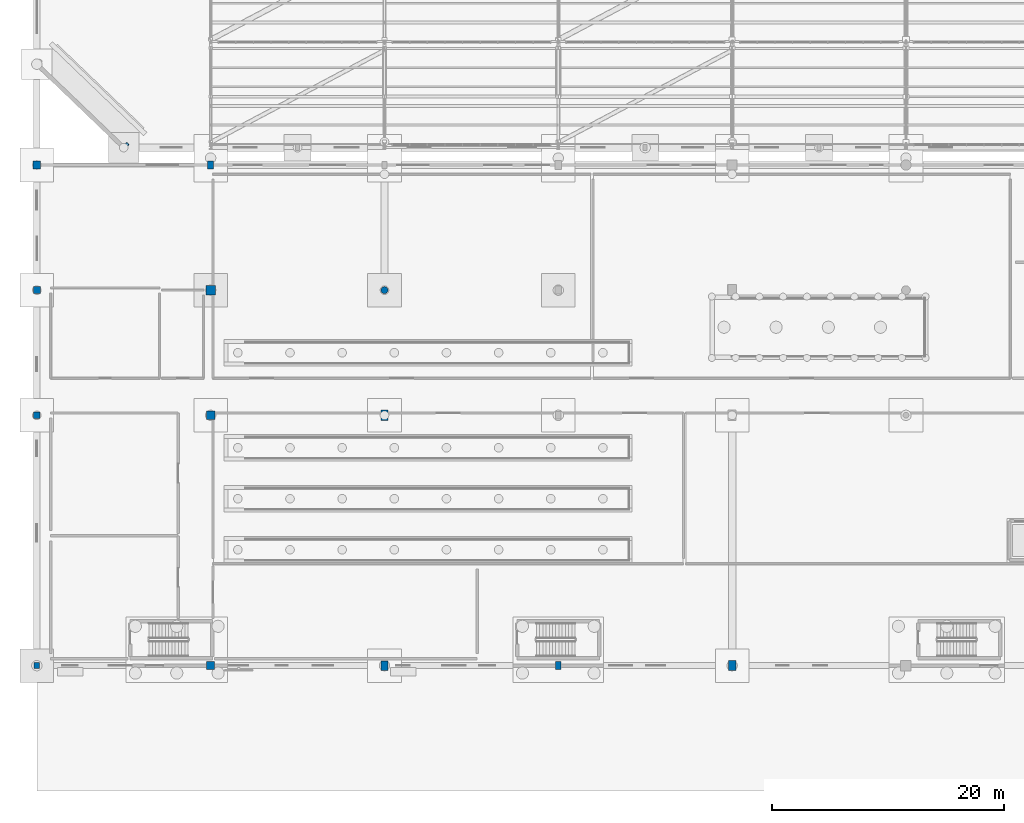
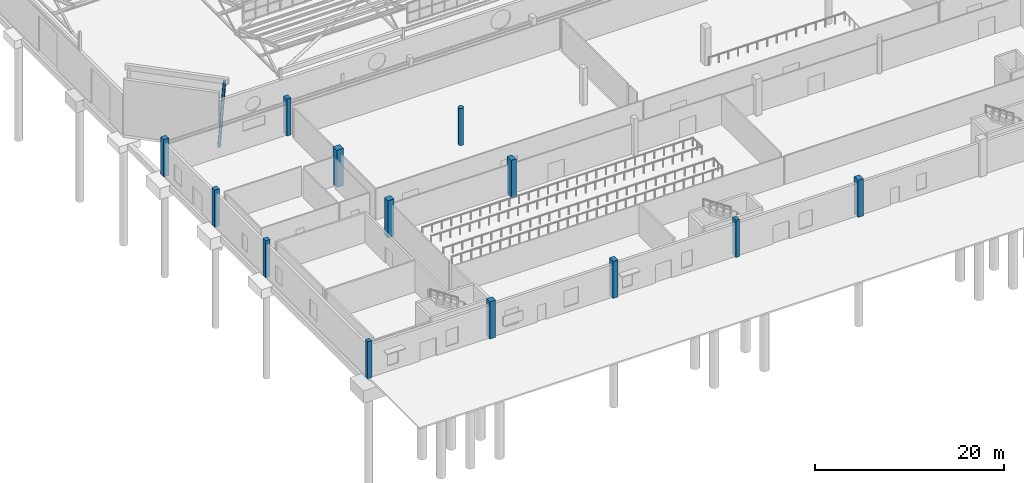
# One storey, part 12 of 285: 14 columns.
"""IFC4 building model written with IfcOpenShell, lengths in metres."""

from ifc_helpers import new_model, si_unit, direction, frame, origin, origin_2d, place, context, subcontext, project, spatial, rectangle, circle, hollow_circle, extrude, material, material_profile, profile_set, type_object, element, save


model = new_model("IFC4")

# Units and contexts
model_context = context("Model", 3, precision=1e-05, world=origin(), true_north=direction((0.0, 1.0)))
body_context = subcontext(model_context, "Body", "Model", "MODEL_VIEW")
ifc_project = project(units=[si_unit("LENGTHUNIT", "METRE"), si_unit("AREAUNIT", "SQUARE_METRE"), si_unit("VOLUMEUNIT", "CUBIC_METRE"), si_unit("PLANEANGLEUNIT", "RADIAN"), si_unit("MASSUNIT", "GRAM", prefix="KILO")], contexts=[model_context])

# Site, building, storey
site_placement = place(None, origin())
site = spatial("IfcSite", under=ifc_project, at=site_placement, CompositionType="ELEMENT")
building_placement = place(site_placement, origin())
building = spatial("IfcBuilding", under=site, at=building_placement, Name="Solanera Park Tramway Depot", CompositionType="ELEMENT")
storey_placement = place(building_placement, origin())
storey = spatial("IfcBuildingStorey", under=building, at=storey_placement, Name="L00", CompositionType="ELEMENT", Elevation=0.0)

# Columns
ifc_material_1 = material(Name="Concrete N40 (C40/50)", Category="concrete")
ifc_material_profile_1 = material_profile(ifc_material_1, rectangle(XDim=0.449951171875, YDim=0.699951171875, at=origin_2d()), Name="RC 450x700")
ifc_profile_set_1 = profile_set([ifc_material_profile_1], Name="Concrete N40 (C40/50)")
column_type_1 = type_object("IfcColumnType", Name="RC Column Ext RC 450x700", PredefinedType="COLUMN", material=ifc_profile_set_1)
column_1_placement = place(storey_placement, frame((45.0, 10.800048828125, 0.0), z_axis=(0.0, 0.0, 1.0), x_axis=(1.0, 0.0, 0.0)))
element("IfcColumn", 1, at=column_1_placement, inside=storey, type_object=column_type_1, Name="L00 Column V2-X450-Y108", PredefinedType="COLUMN", context=body_context, shape_type="SweptSolid", body=[
    extrude(rectangle(XDim=0.449951171875, YDim=0.699951171875, at=origin_2d()), origin(), (0.0, 0.0, 1.0), 4.800048828125),
])
ifc_material_2 = material(Name="Concrete N40 (C40/50)", Category="concrete")
ifc_material_profile_2 = material_profile(ifc_material_2, rectangle(XDim=0.5, YDim=0.5, at=origin_2d()), Name="RC 500x500")
ifc_profile_set_2 = profile_set([ifc_material_profile_2], Name="Concrete N40 (C40/50)")
column_type_2 = type_object("IfcColumnType", Name="RC Column Ext RC 500x500", PredefinedType="COLUMN", material=ifc_profile_set_2)
column_2_placement = place(storey_placement, frame((0.0, 10.800048828125, 0.0), z_axis=(0.0, 0.0, 1.0), x_axis=(1.0, 0.0, 0.0)))
element("IfcColumn", 2, at=column_2_placement, inside=storey, type_object=column_type_2, Name="L00 Column V2-X0-Y108", PredefinedType="COLUMN", context=body_context, shape_type="SweptSolid", body=[
    extrude(rectangle(XDim=0.5, YDim=0.5, at=origin_2d()), origin(), (0.0, 0.0, 1.0), 4.800048828125),
])
ifc_material_3 = material(Name="Concrete N40 (C40/50)", Category="concrete")
ifc_material_profile_3 = material_profile(ifc_material_3, rectangle(XDim=0.5, YDim=0.699951171875, at=origin_2d()), Name="RC 500x700")
ifc_profile_set_3 = profile_set([ifc_material_profile_3], Name="Concrete N40 (C40/50)")
column_type_3 = type_object("IfcColumnType", Name="RC Column Ext RC 500x700", PredefinedType="COLUMN", material=ifc_profile_set_3)
column_3_placement = place(storey_placement, frame((15.0, 54.0, 0.0), z_axis=(0.0, 0.0, 1.0), x_axis=(1.0, 0.0, 0.0)))
element("IfcColumn", 3, at=column_3_placement, inside=storey, type_object=column_type_3, Name="L00 Column V2-X150-Y540", PredefinedType="COLUMN", context=body_context, shape_type="SweptSolid", body=[
    extrude(rectangle(XDim=0.5, YDim=0.699951171875, at=origin_2d()), origin(), (0.0, 0.0, 1.0), 4.800048828125),
])
ifc_material_4 = material(Name="Concrete N40 (C40/50)", Category="concrete")
ifc_material_profile_4 = material_profile(ifc_material_4, rectangle(XDim=0.550048828125, YDim=0.550048828125, at=origin_2d()), Name="RC 550x550")
ifc_profile_set_4 = profile_set([ifc_material_profile_4], Name="Concrete N40 (C40/50)")
column_type_4 = type_object("IfcColumnType", Name="RC Column Ext RC 550x550", PredefinedType="COLUMN", material=ifc_profile_set_4)
column_4_placement = place(storey_placement, frame((0.0, 32.39990234375, 0.0), z_axis=(0.0, 0.0, 1.0), x_axis=(1.0, 0.0, 0.0)))
element("IfcColumn", 4, at=column_4_placement, inside=storey, type_object=column_type_4, Name="L00 Column V2-X0-Y324", PredefinedType="COLUMN", context=body_context, shape_type="SweptSolid", body=[
    extrude(rectangle(XDim=0.550048828125, YDim=0.550048828125, at=origin_2d()), origin(), (0.0, 0.0, 1.0), 4.800048828125),
])
ifc_material_5 = material(Name="Concrete N40 (C40/50)", Category="concrete")
ifc_material_profile_5 = material_profile(ifc_material_5, rectangle(XDim=0.60009765625, YDim=0.60009765625, at=origin_2d()), Name="RC 600x600")
ifc_profile_set_5 = profile_set([ifc_material_profile_5], Name="Concrete N40 (C40/50)")
column_type_5 = type_object("IfcColumnType", Name="RC Column Ext RC 600x600", PredefinedType="COLUMN", material=ifc_profile_set_5)
column_5_placement = place(storey_placement, frame((0.0, 43.199951171875, 0.0), z_axis=(0.0, 0.0, 1.0), x_axis=(1.0, 0.0, 0.0)))
element("IfcColumn", 5, at=column_5_placement, inside=storey, type_object=column_type_5, Name="L00 Column V2-X0-Y432", PredefinedType="COLUMN", context=body_context, shape_type="SweptSolid", body=[
    extrude(rectangle(XDim=0.60009765625, YDim=0.60009765625, at=origin_2d()), origin(), (0.0, 0.0, 1.0), 4.800048828125),
])
ifc_material_6 = material(Name="Concrete N40 (C40/50)", Category="concrete")
ifc_material_profile_6 = material_profile(ifc_material_6, rectangle(XDim=0.60009765625, YDim=0.800048828125, at=origin_2d()), Name="RC 600x800")
ifc_profile_set_6 = profile_set([ifc_material_profile_6], Name="Concrete N40 (C40/50)")
column_type_6 = type_object("IfcColumnType", Name="RC Column Ext RC 600x800", PredefinedType="COLUMN", material=ifc_profile_set_6)
column_6_placement = place(storey_placement, frame((30.0, 10.800048828125, 0.0), z_axis=(0.0, 0.0, 1.0), x_axis=(1.0, 0.0, 0.0)))
element("IfcColumn", 6, at=column_6_placement, inside=storey, type_object=column_type_6, Name="L00 Column V2-X300-Y108", PredefinedType="COLUMN", context=body_context, shape_type="SweptSolid", body=[
    extrude(rectangle(XDim=0.60009765625, YDim=0.800048828125, at=origin_2d()), origin(), (0.0, 0.0, 1.0), 4.800048828125),
])
ifc_material_7 = material(Name="Concrete N40 (C40/50)", Category="concrete")
ifc_material_profile_7 = material_profile(ifc_material_7, rectangle(XDim=0.64990234375, YDim=0.64990234375, at=origin_2d()), Name="RC 650x650")
ifc_profile_set_7 = profile_set([ifc_material_profile_7], Name="Concrete N40 (C40/50)")
column_type_7 = type_object("IfcColumnType", Name="RC Column Ext RC 650x650", PredefinedType="COLUMN", material=ifc_profile_set_7)
column_7_placement = place(storey_placement, frame((0.0, 54.0, 0.0), z_axis=(0.0, 0.0, 1.0), x_axis=(1.0, 0.0, 0.0)))
element("IfcColumn", 7, at=column_7_placement, inside=storey, type_object=column_type_7, Name="L00 Column V2-X0-Y540", PredefinedType="COLUMN", context=body_context, shape_type="SweptSolid", body=[
    extrude(rectangle(XDim=0.64990234375, YDim=0.64990234375, at=origin_2d()), origin(), (0.0, 0.0, 1.0), 4.800048828125),
])
ifc_material_8 = material(Name="Concrete N40 (C40/50)", Category="concrete")
ifc_material_profile_8 = material_profile(ifc_material_8, rectangle(XDim=0.64990234375, YDim=0.85009765625, at=origin_2d()), Name="RC 650x850")
ifc_profile_set_8 = profile_set([ifc_material_profile_8], Name="Concrete N40 (C40/50)")
column_type_8 = type_object("IfcColumnType", Name="RC Column Ext RC 650x850", PredefinedType="COLUMN", material=ifc_profile_set_8)
column_8_placement = place(storey_placement, frame((60.0, 10.800048828125, 0.0), z_axis=(0.0, 0.0, 1.0), x_axis=(1.0, 0.0, 0.0)))
element("IfcColumn", 8, at=column_8_placement, inside=storey, type_object=column_type_8, Name="L00 Column V2-X600-Y108", PredefinedType="COLUMN", context=body_context, shape_type="SweptSolid", body=[
    extrude(rectangle(XDim=0.64990234375, YDim=0.85009765625, at=origin_2d()), origin(), (0.0, 0.0, 1.0), 4.800048828125),
])
ifc_material_9 = material(Name="Concrete N40 (C40/50)", Category="concrete")
ifc_material_profile_9 = material_profile(ifc_material_9, rectangle(XDim=0.699951171875, YDim=0.699951171875, at=origin_2d()), Name="RC 700x700")
ifc_profile_set_9 = profile_set([ifc_material_profile_9], Name="Concrete N40 (C40/50)")
column_type_9 = type_object("IfcColumnType", Name="RC Column Ext RC 700x700", PredefinedType="COLUMN", material=ifc_profile_set_9)
column_9_placement = place(storey_placement, frame((15.0, 10.800048828125, 0.0), z_axis=(0.0, 0.0, 1.0), x_axis=(1.0, 0.0, 0.0)))
element("IfcColumn", 9, at=column_9_placement, inside=storey, type_object=column_type_9, Name="L00 Column V2-X150-Y108", PredefinedType="COLUMN", context=body_context, shape_type="SweptSolid", body=[
    extrude(rectangle(XDim=0.699951171875, YDim=0.699951171875, at=origin_2d()), origin(), (0.0, 0.0, 1.0), 4.800048828125),
])
ifc_material_10 = material(Name="Concrete N40 (C40/50)", Category="concrete")
ifc_material_profile_10 = material_profile(ifc_material_10, rectangle(XDim=0.60009765625, YDim=0.89990234375, at=origin_2d()), Name="RC 600x900")
ifc_profile_set_10 = profile_set([ifc_material_profile_10], Name="Concrete N40 (C40/50)")
column_type_10 = type_object("IfcColumnType", Name="RC Column Int RC 600x900", PredefinedType="COLUMN", material=ifc_profile_set_10)
column_10_placement = place(storey_placement, frame((30.0, 32.39990234375, 0.0), z_axis=(0.0, 0.0, 1.0), x_axis=(1.0, 0.0, 0.0)))
element("IfcColumn", 10, at=column_10_placement, inside=storey, type_object=column_type_10, Name="L00 Column V2-X300-Y324", PredefinedType="COLUMN", context=body_context, shape_type="SweptSolid", body=[
    extrude(rectangle(XDim=0.60009765625, YDim=0.89990234375, at=origin_2d()), origin(), (0.0, 0.0, 1.0), 4.800048828125),
])
ifc_material_11 = material(Name="Concrete N40 (C40/50)", Category="concrete")
ifc_material_profile_11 = material_profile(ifc_material_11, rectangle(XDim=0.75, YDim=0.75, at=origin_2d()), Name="RC 750x750")
ifc_profile_set_11 = profile_set([ifc_material_profile_11], Name="Concrete N40 (C40/50)")
column_type_11 = type_object("IfcColumnType", Name="RC Column Int RC 750x750", PredefinedType="COLUMN", material=ifc_profile_set_11)
column_11_placement = place(storey_placement, frame((15.0, 32.39990234375, 0.0), z_axis=(0.0, 0.0, 1.0), x_axis=(1.0, 0.0, 0.0)))
element("IfcColumn", 11, at=column_11_placement, inside=storey, type_object=column_type_11, Name="L00 Column V2-X150-Y324", PredefinedType="COLUMN", context=body_context, shape_type="SweptSolid", body=[
    extrude(rectangle(XDim=0.75, YDim=0.75, at=origin_2d()), origin(), (0.0, 0.0, 1.0), 4.800048828125),
])
ifc_material_12 = material(Name="Concrete N40 (C40/50)", Category="concrete")
ifc_material_profile_12 = material_profile(ifc_material_12, rectangle(XDim=0.800048828125, YDim=0.800048828125, at=origin_2d()), Name="RC 800x800")
ifc_profile_set_12 = profile_set([ifc_material_profile_12], Name="Concrete N40 (C40/50)")
column_type_12 = type_object("IfcColumnType", Name="RC Column Int RC 800x800", PredefinedType="COLUMN", material=ifc_profile_set_12)
column_12_placement = place(storey_placement, frame((15.0, 43.199951171875, 0.0), z_axis=(0.0, 0.0, 1.0), x_axis=(1.0, 0.0, 0.0)))
element("IfcColumn", 12, at=column_12_placement, inside=storey, type_object=column_type_12, Name="L00 Column V2-X150-Y432", PredefinedType="COLUMN", context=body_context, shape_type="SweptSolid", body=[
    extrude(rectangle(XDim=0.800048828125, YDim=0.800048828125, at=origin_2d()), origin(), (0.0, 0.0, 1.0), 4.800048828125),
])
ifc_material_13 = material(Name="Concrete N40 (C40/50)", Category="concrete")
ifc_material_profile_13 = material_profile(ifc_material_13, circle(Radius=0.300048828125, at=origin_2d()), Name="RC D600")
ifc_profile_set_13 = profile_set([ifc_material_profile_13], Name="Concrete N40 (C40/50)")
column_type_13 = type_object("IfcColumnType", Name="RC Column Int RC D600", PredefinedType="COLUMN", material=ifc_profile_set_13)
column_13_placement = place(storey_placement, frame((30.0, 43.199951171875, 0.0), z_axis=(0.0, 0.0, 1.0), x_axis=(1.0, 0.0, 0.0)))
element("IfcColumn", 13, at=column_13_placement, inside=storey, type_object=column_type_13, Name="L00 Column V2-X300-Y432", PredefinedType="COLUMN", context=body_context, shape_type="SweptSolid", body=[
    extrude(circle(Radius=0.300048828125, at=origin_2d()), origin(), (0.0, 0.0, 1.0), 4.800048828125),
])
ifc_material_14 = material(Name="Steel AS/NZS 1163 Grade C350L0", Category="steel")
ifc_material_profile_14 = material_profile(ifc_material_14, hollow_circle(Radius=0.177734375, WallThickness=0.0126953125, at=origin_2d()), Name="355.6x12.7 CHS")
ifc_profile_set_14 = profile_set([ifc_material_profile_14], Name="Steel AS/NZS 1163 Grade C350L0")
column_type_14 = type_object("IfcColumnType", Name="Steel Column Ext 355.6x12.7 CHS", PredefinedType="COLUMN", material=ifc_profile_set_14)
column_14_placement = place(storey_placement, frame((7.5, 55.5, 0.0), z_axis=(0.204776827534, 0.196833457878, 0.958813350327), x_axis=(-0.692985522291, 0.720951500377, 0.0)))
element("IfcColumn", 14, at=column_14_placement, inside=storey, type_object=column_type_14, Name="V1 Carved Corner Raked Column SW-1", PredefinedType="COLUMN", context=body_context, shape_type="SweptSolid", body=[
    extrude(hollow_circle(Radius=0.177734375, WallThickness=0.0126953125, at=origin_2d()), origin(), (0.0, 0.0, 1.0), 7.530029296875),
])

save(model, "model.ifc")
